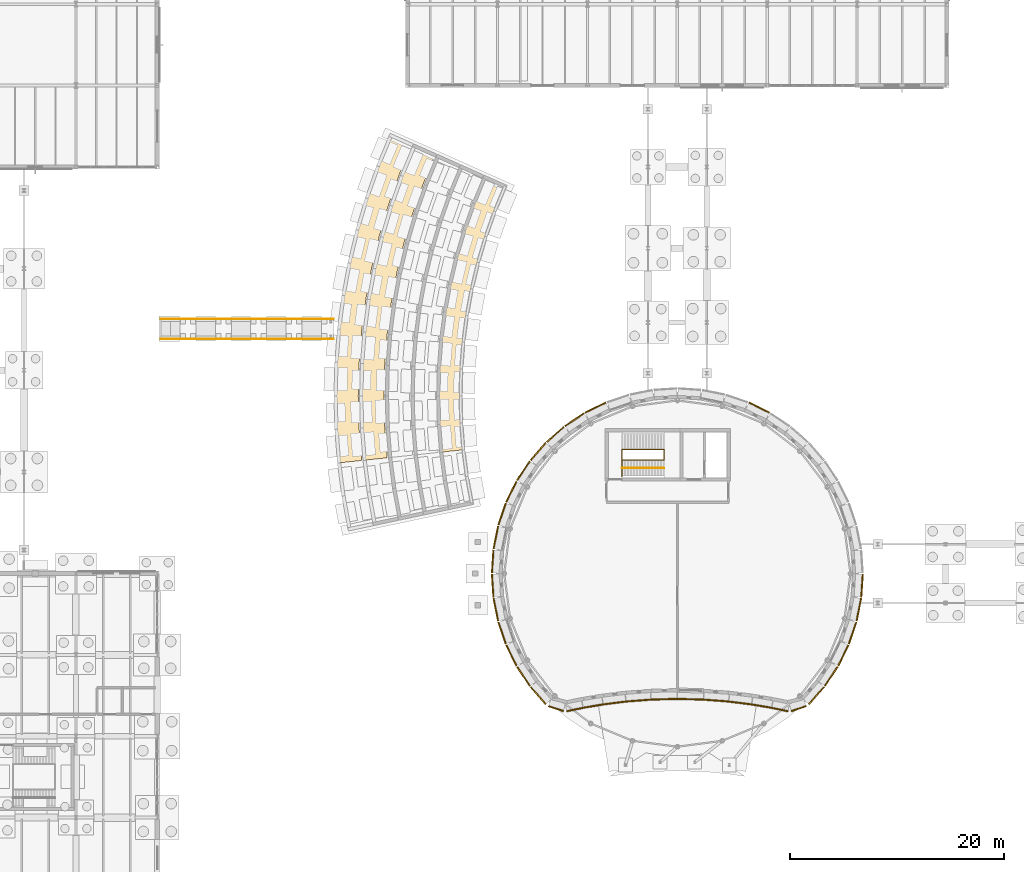
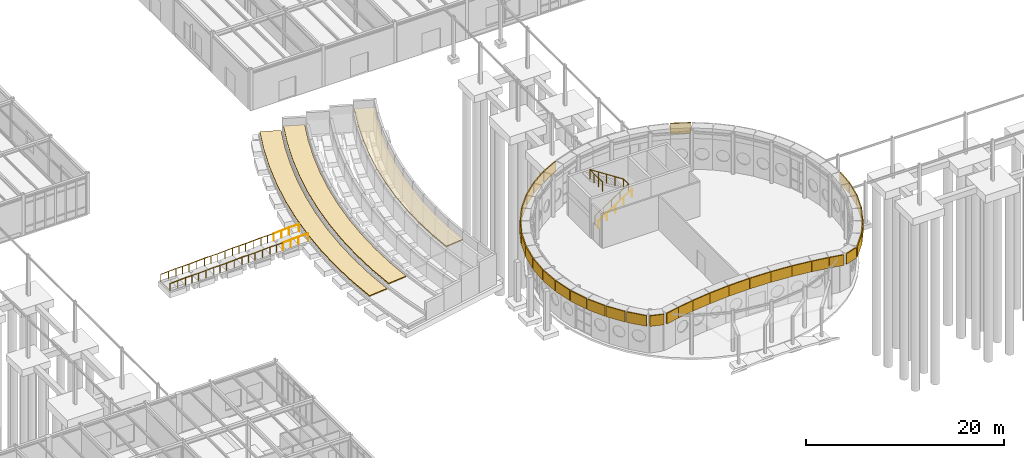
# One storey, part 98 of 109: 37 coverings, 12 railings.
"""IFC4 building model written with IfcOpenShell, lengths in metres."""

from ifc_helpers import new_model, si_unit, direction, frame, origin, origin_2d, place, context, subcontext, project, spatial, polyline, circle, outline, extrude, material, layer, layer_set, type_object, element, save


model = new_model("IFC4")

# Units and contexts
model_context = context("Model", 3, precision=1e-05, world=origin(), true_north=direction((0.0, 1.0)))
body_context = subcontext(model_context, "Body", "Model", "MODEL_VIEW")
ifc_project = project(units=[si_unit("LENGTHUNIT", "METRE"), si_unit("AREAUNIT", "SQUARE_METRE"), si_unit("VOLUMEUNIT", "CUBIC_METRE"), si_unit("PLANEANGLEUNIT", "RADIAN"), si_unit("MASSUNIT", "GRAM", prefix="KILO")], contexts=[model_context])

# Site, building, storey
site_placement = place(None, origin())
site = spatial("IfcSite", under=ifc_project, at=site_placement, CompositionType="ELEMENT")
building_placement = place(site_placement, origin())
building = spatial("IfcBuilding", under=site, at=building_placement, Name="Montecoro Central Library", CompositionType="ELEMENT")
storey_placement = place(building_placement, origin())
storey = spatial("IfcBuildingStorey", under=building, at=storey_placement, Name="L00", CompositionType="ELEMENT", Elevation=0.0)

# Coverings
ifc_material_1 = material(Name="Botanical green planted garden soil COV-GRN-120")
ifc_layer_1 = layer(ifc_material_1, 0.1201171875)
ifc_layer_set_1 = layer_set([ifc_layer_1], Name="Botanical green planted garden soil COV-GRN-120")
covering_type_1 = type_object("IfcCoveringType", Name="COV-GRN-120", PredefinedType="FLOORING", material=ifc_layer_set_1)
covering_1_placement = place(storey_placement, frame((0.0, 0.0, 0.5400390625)))
element("IfcCovering", 1, at=covering_1_placement, inside=storey, type_object=covering_type_1, Name="Botanical Planted Terrace Bed 1", PredefinedType="FLOORING", context=body_context, shape_type="SweptSolid", body=[
    extrude(outline(polyline([(66.77001953125, 75.47705078125), (65.614013671875, 72.68505859375), (64.60498046875, 69.8359375), (63.7470703125, 66.93896484375), (63.041015625, 64.0009765625), (62.490966796875, 61.029052734375), (62.095947265625, 58.032958984375), (61.85888671875, 55.02099609375), (61.780029296875, 52.0), (61.85888671875, 48.97900390625), (62.095947265625, 45.967041015625), (59.947998046875, 45.740966796875), (59.701904296875, 48.865966796875), (59.6201171875, 52.0), (59.701904296875, 55.134033203125), (59.947998046875, 58.259033203125), (60.35693359375, 61.366943359375), (60.928955078125, 64.449951171875), (61.659912109375, 67.498046875), (62.551025390625, 70.50390625), (63.596923828125, 73.458984375), (64.797119140625, 76.35498046875), (66.77001953125, 75.47705078125)])), origin(), (0.0, 0.0, 1.0), 0.119873046875),
])
covering_2_placement = place(storey_placement, frame((0.0, 0.0, 1.080078125)))
element("IfcCovering", 2, at=covering_2_placement, inside=storey, type_object=covering_type_1, Name="Botanical Planted Terrace Bed 2", PredefinedType="FLOORING", context=body_context, shape_type="SweptSolid", body=[
    extrude(outline(polyline([(68.962890625, 74.5009765625), (67.85400390625, 71.824951171875), (66.887939453125, 69.094970703125), (66.06494140625, 66.318115234375), (65.388916015625, 63.501953125), (64.861083984375, 60.654052734375), (64.48291015625, 57.782958984375), (64.256103515625, 54.89501953125), (64.179931640625, 52.0), (64.256103515625, 49.10498046875), (64.48291015625, 46.217041015625), (62.3349609375, 45.991943359375), (62.09912109375, 48.991943359375), (62.02001953125, 52.0), (62.09912109375, 55.008056640625), (62.3349609375, 58.008056640625), (62.72802734375, 60.991943359375), (63.27587890625, 63.950927734375), (63.97900390625, 66.876953125), (64.8330078125, 69.761962890625), (65.837890625, 72.59912109375), (66.989013671875, 75.37890625), (68.962890625, 74.5009765625)])), origin(), (0.0, 0.0, 1.0), 0.119873046875),
])
covering_3_placement = place(storey_placement, frame((0.0, 0.0, 2.699951171875)))
element("IfcCovering", 3, at=covering_3_placement, inside=storey, type_object=covering_type_1, Name="Botanical Planted Terrace Bed 5", PredefinedType="FLOORING", context=body_context, shape_type="SweptSolid", body=[
    extrude(outline(polyline([(75.5400390625, 71.572021484375), (74.575927734375, 69.2451171875), (73.735107421875, 66.8701171875), (73.02001953125, 64.4541015625), (72.431884765625, 62.0048828125), (71.971923828125, 59.528076171875), (71.64404296875, 57.030029296875), (71.446044921875, 54.51806640625), (71.3798828125, 52.0), (71.446044921875, 49.48193359375), (71.64404296875, 46.969970703125), (69.4951171875, 46.743896484375), (69.2890625, 49.368896484375), (69.219970703125, 52.0), (69.2890625, 54.631103515625), (69.4951171875, 57.256103515625), (69.839111328125, 59.865966796875), (70.319091796875, 62.4541015625), (70.93310546875, 65.012939453125), (71.680908203125, 67.537109375), (72.56005859375, 70.01904296875), (73.56689453125, 72.450927734375), (75.5400390625, 71.572021484375)])), origin(), (0.0, 0.0, 1.0), 0.1201171875),
])
ifc_material_2 = material(Name="Bright white Roman travertine architrave stone", Category="masonry")
ifc_layer_2 = layer(ifc_material_2, 0.1201171875)
ifc_layer_set_2 = layer_set([ifc_layer_2], Name="Bright white Roman travertine architrave stone")
covering_type_2 = type_object("IfcCoveringType", Name="COV-TRV-BAND", PredefinedType="CLADDING", material=ifc_layer_set_2)
covering_4_placement = place(storey_placement, frame((0.0, 0.0, 3.800048828125)))
element("IfcCovering", 4, at=covering_4_placement, inside=storey, type_object=covering_type_2, Name="White Roman Travertine Entrance Notch Band Cladding", PredefinedType="CLADDING", context=body_context, shape_type="SweptSolid", body=[
    extrude(outline(polyline([(100.238037109375, 50.493896484375), (98.31494140625, 51.44189453125), (98.261962890625, 51.333984375), (100.18505859375, 50.385986328125), (100.238037109375, 50.493896484375)])), origin(), (0.0, 0.0, 1.0), 1.300048828125),
])
covering_5_placement = place(storey_placement, frame((0.0, 0.0, 3.800048828125)))
element("IfcCovering", 5, at=covering_5_placement, inside=storey, type_object=covering_type_2, Name="White Roman Travertine Entrance Notch Band Cladding", PredefinedType="CLADDING", context=body_context, shape_type="SweptSolid", body=[
    extrude(outline(polyline([(84.885009765625, 51.44189453125), (82.9619140625, 50.493896484375), (83.014892578125, 50.385986328125), (84.93798828125, 51.333984375), (84.885009765625, 51.44189453125)])), origin(), (0.0, 0.0, 1.0), 1.300048828125),
])
covering_6_placement = place(storey_placement, frame((0.0, 0.0, 3.800048828125)))
element("IfcCovering", 6, at=covering_6_placement, inside=storey, type_object=covering_type_2, Name="White Roman Travertine Entrance Notch Band Cladding", PredefinedType="CLADDING", context=body_context, shape_type="SweptSolid", body=[
    extrude(outline(polyline([(82.847900390625, 50.427001953125), (81.06591796875, 49.237060546875), (81.132080078125, 49.136962890625), (82.9140625, 50.326904296875), (82.847900390625, 50.427001953125)])), origin(), (0.0, 0.0, 1.0), 1.300048828125),
])
covering_7_placement = place(storey_placement, frame((0.0, 0.0, 3.800048828125)))
element("IfcCovering", 7, at=covering_7_placement, inside=storey, type_object=covering_type_2, Name="White Roman Travertine Entrance Notch Band Cladding", PredefinedType="CLADDING", context=body_context, shape_type="SweptSolid", body=[
    extrude(outline(polyline([(80.9609375, 49.156005859375), (79.35009765625, 47.743896484375), (79.428955078125, 47.654052734375), (81.0400390625, 49.06591796875), (80.9609375, 49.156005859375)])), origin(), (0.0, 0.0, 1.0), 1.300048828125),
])
covering_8_placement = place(storey_placement, frame((0.0, 0.0, 3.800048828125)))
element("IfcCovering", 8, at=covering_8_placement, inside=storey, type_object=covering_type_2, Name="White Roman Travertine Entrance Notch Band Cladding", PredefinedType="CLADDING", context=body_context, shape_type="SweptSolid", body=[
    extrude(outline(polyline([(79.256103515625, 47.64990234375), (77.843994140625, 46.0390625), (77.93408203125, 45.9599609375), (79.345947265625, 47.571044921875), (79.256103515625, 47.64990234375)])), origin(), (0.0, 0.0, 1.0), 1.300048828125),
])
covering_9_placement = place(storey_placement, frame((0.0, 0.0, 3.800048828125)))
element("IfcCovering", 9, at=covering_9_placement, inside=storey, type_object=covering_type_2, Name="White Roman Travertine Entrance Notch Band Cladding", PredefinedType="CLADDING", context=body_context, shape_type="SweptSolid", body=[
    extrude(outline(polyline([(77.762939453125, 45.93408203125), (76.572998046875, 44.152099609375), (76.673095703125, 44.0859375), (77.863037109375, 45.867919921875), (77.762939453125, 45.93408203125)])), origin(), (0.0, 0.0, 1.0), 1.300048828125),
])
covering_10_placement = place(storey_placement, frame((0.0, 0.0, 3.800048828125)))
element("IfcCovering", 10, at=covering_10_placement, inside=storey, type_object=covering_type_2, Name="White Roman Travertine Entrance Notch Band Cladding", PredefinedType="CLADDING", context=body_context, shape_type="SweptSolid", body=[
    extrude(outline(polyline([(76.506103515625, 44.0380859375), (75.55810546875, 42.114990234375), (75.666015625, 42.06201171875), (76.614013671875, 43.985107421875), (76.506103515625, 44.0380859375)])), origin(), (0.0, 0.0, 1.0), 1.300048828125),
])
covering_11_placement = place(storey_placement, frame((0.0, 0.0, 3.800048828125)))
element("IfcCovering", 11, at=covering_11_placement, inside=storey, type_object=covering_type_2, Name="White Roman Travertine Entrance Notch Band Cladding", PredefinedType="CLADDING", context=body_context, shape_type="SweptSolid", body=[
    extrude(outline(polyline([(75.509033203125, 41.993896484375), (74.820068359375, 39.966064453125), (74.93310546875, 39.927978515625), (75.6220703125, 41.9560546875), (75.509033203125, 41.993896484375)])), origin(), (0.0, 0.0, 1.0), 1.300048828125),
])
covering_12_placement = place(storey_placement, frame((0.0, 0.0, 3.800048828125)))
element("IfcCovering", 12, at=covering_12_placement, inside=storey, type_object=covering_type_2, Name="White Roman Travertine Entrance Notch Band Cladding", PredefinedType="CLADDING", context=body_context, shape_type="SweptSolid", body=[
    extrude(outline(polyline([(74.784912109375, 39.8369140625), (74.366943359375, 37.735107421875), (74.485107421875, 37.7109375), (74.903076171875, 39.81298828125), (74.784912109375, 39.8369140625)])), origin(), (0.0, 0.0, 1.0), 1.300048828125),
])
covering_13_placement = place(storey_placement, frame((0.0, 0.0, 3.800048828125)))
element("IfcCovering", 13, at=covering_13_placement, inside=storey, type_object=covering_type_2, Name="White Roman Travertine Entrance Notch Band Cladding", PredefinedType="CLADDING", context=body_context, shape_type="SweptSolid", body=[
    extrude(outline(polyline([(74.35009765625, 37.60400390625), (74.2099609375, 35.466064453125), (74.330078125, 35.4580078125), (74.469970703125, 37.595947265625), (74.35009765625, 37.60400390625)])), origin(), (0.0, 0.0, 1.0), 1.300048828125),
])
covering_14_placement = place(storey_placement, frame((0.0, 0.0, 3.800048828125)))
element("IfcCovering", 14, at=covering_14_placement, inside=storey, type_object=covering_type_2, Name="White Roman Travertine Entrance Notch Band Cladding", PredefinedType="CLADDING", context=body_context, shape_type="SweptSolid", body=[
    extrude(outline(polyline([(74.2099609375, 35.333984375), (74.35009765625, 33.196044921875), (74.469970703125, 33.2041015625), (74.330078125, 35.342041015625), (74.2099609375, 35.333984375)])), origin(), (0.0, 0.0, 1.0), 1.300048828125),
])
covering_15_placement = place(storey_placement, frame((0.0, 0.0, 3.800048828125)))
element("IfcCovering", 15, at=covering_15_placement, inside=storey, type_object=covering_type_2, Name="White Roman Travertine Entrance Notch Band Cladding", PredefinedType="CLADDING", context=body_context, shape_type="SweptSolid", body=[
    extrude(outline(polyline([(74.366943359375, 33.06396484375), (74.784912109375, 30.9619140625), (74.903076171875, 30.986083984375), (74.485107421875, 33.087890625), (74.366943359375, 33.06396484375)])), origin(), (0.0, 0.0, 1.0), 1.300048828125),
])
covering_16_placement = place(storey_placement, frame((0.0, 0.0, 3.800048828125)))
element("IfcCovering", 16, at=covering_16_placement, inside=storey, type_object=covering_type_2, Name="White Roman Travertine Entrance Notch Band Cladding", PredefinedType="CLADDING", context=body_context, shape_type="SweptSolid", body=[
    extrude(outline(polyline([(74.820068359375, 30.833984375), (75.509033203125, 28.805908203125), (75.6220703125, 28.843994140625), (74.93310546875, 30.8720703125), (74.820068359375, 30.833984375)])), origin(), (0.0, 0.0, 1.0), 1.300048828125),
])
covering_17_placement = place(storey_placement, frame((0.0, 0.0, 3.800048828125)))
element("IfcCovering", 17, at=covering_17_placement, inside=storey, type_object=covering_type_2, Name="White Roman Travertine Entrance Notch Band Cladding", PredefinedType="CLADDING", context=body_context, shape_type="SweptSolid", body=[
    extrude(outline(polyline([(75.55810546875, 28.68505859375), (76.506103515625, 26.761962890625), (76.614013671875, 26.81494140625), (75.666015625, 28.738037109375), (75.55810546875, 28.68505859375)])), origin(), (0.0, 0.0, 1.0), 1.300048828125),
])
covering_18_placement = place(storey_placement, frame((0.0, 0.0, 3.800048828125)))
element("IfcCovering", 18, at=covering_18_placement, inside=storey, type_object=covering_type_2, Name="White Roman Travertine Entrance Notch Band Cladding", PredefinedType="CLADDING", context=body_context, shape_type="SweptSolid", body=[
    extrude(outline(polyline([(76.572998046875, 26.64794921875), (77.762939453125, 24.865966796875), (77.863037109375, 24.931884765625), (76.673095703125, 26.714111328125), (76.572998046875, 26.64794921875)])), origin(), (0.0, 0.0, 1.0), 1.300048828125),
])
covering_19_placement = place(storey_placement, frame((0.0, 0.0, 3.800048828125)))
element("IfcCovering", 19, at=covering_19_placement, inside=storey, type_object=covering_type_2, Name="White Roman Travertine Entrance Notch Band Cladding", PredefinedType="CLADDING", context=body_context, shape_type="SweptSolid", body=[
    extrude(outline(polyline([(77.843994140625, 24.760986328125), (79.256103515625, 23.14990234375), (79.345947265625, 23.22900390625), (77.93408203125, 24.840087890625), (77.843994140625, 24.760986328125)])), origin(), (0.0, 0.0, 1.0), 1.300048828125),
])
covering_20_placement = place(storey_placement, frame((0.0, 0.0, 3.800048828125)))
element("IfcCovering", 20, at=covering_20_placement, inside=storey, type_object=covering_type_2, Name="White Roman Travertine Entrance Notch Band Cladding", PredefinedType="CLADDING", context=body_context, shape_type="SweptSolid", body=[
    extrude(outline(polyline([(79.5439453125, 22.951904296875), (80.924072265625, 22.493896484375), (80.9619140625, 22.60791015625), (79.58203125, 23.06591796875), (79.5439453125, 22.951904296875)])), origin(), (0.0, 0.0, 1.0), 1.300048828125),
])
covering_21_placement = place(storey_placement, frame((0.0, 0.0, 3.800048828125)))
element("IfcCovering", 21, at=covering_21_placement, inside=storey, type_object=covering_type_2, Name="White Roman Travertine Entrance Notch Band Cladding", PredefinedType="CLADDING", context=body_context, shape_type="SweptSolid", body=[
    extrude(outline(polyline([(81.27197265625, 22.47509765625), (82.783935546875, 22.7890625), (82.760009765625, 22.906982421875), (81.248046875, 22.593017578125), (81.27197265625, 22.47509765625)])), origin(), (0.0, 0.0, 1.0), 1.300048828125),
])
covering_22_placement = place(storey_placement, frame((0.0, 0.0, 3.800048828125)))
element("IfcCovering", 22, at=covering_22_placement, inside=storey, type_object=covering_type_2, Name="White Roman Travertine Entrance Notch Band Cladding", PredefinedType="CLADDING", context=body_context, shape_type="SweptSolid", body=[
    extrude(outline(polyline([(82.822998046875, 22.799072265625), (84.65087890625, 23.10888671875), (84.631103515625, 23.22705078125), (82.802978515625, 22.9169921875), (82.822998046875, 22.799072265625)])), origin(), (0.0, 0.0, 1.0), 1.300048828125),
])
covering_23_placement = place(storey_placement, frame((0.0, 0.0, 3.800048828125)))
element("IfcCovering", 23, at=covering_23_placement, inside=storey, type_object=covering_type_2, Name="White Roman Travertine Entrance Notch Band Cladding", PredefinedType="CLADDING", context=body_context, shape_type="SweptSolid", body=[
    extrude(outline(polyline([(84.68603515625, 23.115966796875), (86.7890625, 23.37890625), (86.77392578125, 23.498046875), (84.6708984375, 23.235107421875), (84.68603515625, 23.115966796875)])), origin(), (0.0, 0.0, 1.0), 1.300048828125),
])
covering_24_placement = place(storey_placement, frame((0.0, 0.0, 3.800048828125)))
element("IfcCovering", 24, at=covering_24_placement, inside=storey, type_object=covering_type_2, Name="White Roman Travertine Entrance Notch Band Cladding", PredefinedType="CLADDING", context=body_context, shape_type="SweptSolid", body=[
    extrude(outline(polyline([(86.823974609375, 23.385009765625), (89.133056640625, 23.56201171875), (89.1240234375, 23.680908203125), (86.81494140625, 23.50390625), (86.823974609375, 23.385009765625)])), origin(), (0.0, 0.0, 1.0), 1.300048828125),
])
covering_25_placement = place(storey_placement, frame((0.0, 0.0, 3.800048828125)))
element("IfcCovering", 25, at=covering_25_placement, inside=storey, type_object=covering_type_2, Name="White Roman Travertine Entrance Notch Band Cladding", PredefinedType="CLADDING", context=body_context, shape_type="SweptSolid", body=[
    extrude(outline(polyline([(89.1640625, 23.56396484375), (91.5849609375, 23.6279296875), (91.58203125, 23.748046875), (89.160888671875, 23.68408203125), (89.1640625, 23.56396484375)])), origin(), (0.0, 0.0, 1.0), 1.300048828125),
])
covering_26_placement = place(storey_placement, frame((0.0, 0.0, 3.800048828125)))
element("IfcCovering", 26, at=covering_26_placement, inside=storey, type_object=covering_type_2, Name="White Roman Travertine Entrance Notch Band Cladding", PredefinedType="CLADDING", context=body_context, shape_type="SweptSolid", body=[
    extrude(outline(polyline([(91.614990234375, 23.6279296875), (94.035888671875, 23.56396484375), (94.0390625, 23.68408203125), (91.617919921875, 23.748046875), (91.614990234375, 23.6279296875)])), origin(), (0.0, 0.0, 1.0), 1.300048828125),
])
covering_27_placement = place(storey_placement, frame((0.0, 0.0, 3.800048828125)))
element("IfcCovering", 27, at=covering_27_placement, inside=storey, type_object=covering_type_2, Name="White Roman Travertine Entrance Notch Band Cladding", PredefinedType="CLADDING", context=body_context, shape_type="SweptSolid", body=[
    extrude(outline(polyline([(94.06689453125, 23.56201171875), (96.3759765625, 23.385009765625), (96.385009765625, 23.50390625), (94.075927734375, 23.680908203125), (94.06689453125, 23.56201171875)])), origin(), (0.0, 0.0, 1.0), 1.300048828125),
])
covering_28_placement = place(storey_placement, frame((0.0, 0.0, 3.800048828125)))
element("IfcCovering", 28, at=covering_28_placement, inside=storey, type_object=covering_type_2, Name="White Roman Travertine Entrance Notch Band Cladding", PredefinedType="CLADDING", context=body_context, shape_type="SweptSolid", body=[
    extrude(outline(polyline([(96.409912109375, 23.37890625), (98.512939453125, 23.115966796875), (98.528076171875, 23.235107421875), (96.425048828125, 23.498046875), (96.409912109375, 23.37890625)])), origin(), (0.0, 0.0, 1.0), 1.300048828125),
])
covering_29_placement = place(storey_placement, frame((0.0, 0.0, 3.800048828125)))
element("IfcCovering", 29, at=covering_29_placement, inside=storey, type_object=covering_type_2, Name="White Roman Travertine Entrance Notch Band Cladding", PredefinedType="CLADDING", context=body_context, shape_type="SweptSolid", body=[
    extrude(outline(polyline([(98.549072265625, 23.10888671875), (100.376953125, 22.799072265625), (100.39697265625, 22.9169921875), (98.569091796875, 23.22705078125), (98.549072265625, 23.10888671875)])), origin(), (0.0, 0.0, 1.0), 1.300048828125),
])
covering_30_placement = place(storey_placement, frame((0.0, 0.0, 3.800048828125)))
element("IfcCovering", 30, at=covering_30_placement, inside=storey, type_object=covering_type_2, Name="White Roman Travertine Entrance Notch Band Cladding", PredefinedType="CLADDING", context=body_context, shape_type="SweptSolid", body=[
    extrude(outline(polyline([(100.416015625, 22.7890625), (101.927978515625, 22.47509765625), (101.951904296875, 22.593017578125), (100.43994140625, 22.906982421875), (100.416015625, 22.7890625)])), origin(), (0.0, 0.0, 1.0), 1.300048828125),
])
covering_31_placement = place(storey_placement, frame((0.0, 0.0, 3.800048828125)))
element("IfcCovering", 31, at=covering_31_placement, inside=storey, type_object=covering_type_2, Name="White Roman Travertine Entrance Notch Band Cladding", PredefinedType="CLADDING", context=body_context, shape_type="SweptSolid", body=[
    extrude(outline(polyline([(102.27587890625, 22.493896484375), (103.656005859375, 22.951904296875), (103.617919921875, 23.06591796875), (102.238037109375, 22.60791015625), (102.27587890625, 22.493896484375)])), origin(), (0.0, 0.0, 1.0), 1.300048828125),
])
covering_32_placement = place(storey_placement, frame((0.0, 0.0, 3.800048828125)))
element("IfcCovering", 32, at=covering_32_placement, inside=storey, type_object=covering_type_2, Name="White Roman Travertine Entrance Notch Band Cladding", PredefinedType="CLADDING", context=body_context, shape_type="SweptSolid", body=[
    extrude(outline(polyline([(103.944091796875, 23.14990234375), (105.35595703125, 24.760986328125), (105.26611328125, 24.840087890625), (103.85400390625, 23.22900390625), (103.944091796875, 23.14990234375)])), origin(), (0.0, 0.0, 1.0), 1.300048828125),
])
covering_33_placement = place(storey_placement, frame((0.0, 0.0, 3.800048828125)))
element("IfcCovering", 33, at=covering_33_placement, inside=storey, type_object=covering_type_2, Name="White Roman Travertine Entrance Notch Band Cladding", PredefinedType="CLADDING", context=body_context, shape_type="SweptSolid", body=[
    extrude(outline(polyline([(105.43701171875, 24.865966796875), (106.626953125, 26.64794921875), (106.527099609375, 26.714111328125), (105.3369140625, 24.931884765625), (105.43701171875, 24.865966796875)])), origin(), (0.0, 0.0, 1.0), 1.300048828125),
])
covering_34_placement = place(storey_placement, frame((0.0, 0.0, 3.800048828125)))
element("IfcCovering", 34, at=covering_34_placement, inside=storey, type_object=covering_type_2, Name="White Roman Travertine Entrance Notch Band Cladding", PredefinedType="CLADDING", context=body_context, shape_type="SweptSolid", body=[
    extrude(outline(polyline([(106.694091796875, 26.761962890625), (107.64208984375, 28.68505859375), (107.533935546875, 28.738037109375), (106.5859375, 26.81494140625), (106.694091796875, 26.761962890625)])), origin(), (0.0, 0.0, 1.0), 1.300048828125),
])
covering_35_placement = place(storey_placement, frame((0.0, 0.0, 3.800048828125)))
element("IfcCovering", 35, at=covering_35_placement, inside=storey, type_object=covering_type_2, Name="White Roman Travertine Entrance Notch Band Cladding", PredefinedType="CLADDING", context=body_context, shape_type="SweptSolid", body=[
    extrude(outline(polyline([(107.69091796875, 28.805908203125), (108.3798828125, 30.833984375), (108.26708984375, 30.8720703125), (107.577880859375, 28.843994140625), (107.69091796875, 28.805908203125)])), origin(), (0.0, 0.0, 1.0), 1.300048828125),
])
covering_36_placement = place(storey_placement, frame((0.0, 0.0, 3.800048828125)))
element("IfcCovering", 36, at=covering_36_placement, inside=storey, type_object=covering_type_2, Name="White Roman Travertine Entrance Notch Band Cladding", PredefinedType="CLADDING", context=body_context, shape_type="SweptSolid", body=[
    extrude(outline(polyline([(108.4150390625, 30.9619140625), (108.8330078125, 33.06396484375), (108.715087890625, 33.087890625), (108.297119140625, 30.986083984375), (108.4150390625, 30.9619140625)])), origin(), (0.0, 0.0, 1.0), 1.300048828125),
])
covering_37_placement = place(storey_placement, frame((0.0, 0.0, 3.800048828125)))
element("IfcCovering", 37, at=covering_37_placement, inside=storey, type_object=covering_type_2, Name="White Roman Travertine Entrance Notch Band Cladding", PredefinedType="CLADDING", context=body_context, shape_type="SweptSolid", body=[
    extrude(outline(polyline([(108.85009765625, 33.196044921875), (108.989990234375, 35.333984375), (108.8701171875, 35.342041015625), (108.72998046875, 33.2041015625), (108.85009765625, 33.196044921875)])), origin(), (0.0, 0.0, 1.0), 1.300048828125),
])

# Railings
ifc_material_3 = material(Name="Brushed stainless steel and bronze balustrade", Category="steel")
railing_type_1 = type_object("IfcRailingType", Name="GRD-INT-110", PredefinedType="GUARDRAIL", material=ifc_material_3)
railing_1_placement = place(storey_placement, frame((86.419921875, 46.0, 0.0)))
element("IfcRailing", 38, at=railing_1_placement, inside=storey, type_object=railing_type_1, Name="C1-L00-STR-GRD", PredefinedType="GUARDRAIL", context=body_context, shape_type="SweptSolid", body=[
    extrude(circle(Radius=0.02392578125, at=origin_2d()), frame((0.0, 0.0, 1.09619140625), z_axis=(0.838253921411, 0.0, 0.545280077794), x_axis=(0.0, 1.0, 0.0)), (0.0, 0.0, 1.0), 4.676513671875),
    extrude(circle(Radius=0.02392578125, at=origin_2d()), frame((3.920166015625, 0.0, 3.64599609375), z_axis=(0.0, 1.0, 0.0), x_axis=(-1.0, 0.0, 0.0)), (0.0, 0.0, 1.0), 1.0),
    extrude(circle(Radius=0.02392578125, at=origin_2d()), frame((3.920166015625, 1.0, 3.64599609375), z_axis=(-0.838253921411, 0.0, 0.545280077794), x_axis=(0.0, -1.0, 0.0)), (0.0, 0.0, 1.0), 4.676513671875),
    extrude(circle(Radius=0.02392578125, at=origin_2d()), frame((0.0, 1.0, 6.1962890625), z_axis=(0.0, -1.0, 0.0), x_axis=(1.0, 0.0, 0.0)), (0.0, 0.0, 1.0), 2.550048828125),
    extrude(circle(Radius=0.02099609375, at=origin_2d()), origin(), (0.0, 0.0, 1.0), 1.072021484375),
    extrude(circle(Radius=0.02099609375, at=origin_2d()), frame((0.97998046875, 0.0, 0.637451171875)), (0.0, 0.0, 1.0), 1.072021484375),
    extrude(circle(Radius=0.02099609375, at=origin_2d()), frame((1.9599609375, 0.0, 1.27490234375)), (0.0, 0.0, 1.0), 1.072021484375),
    extrude(circle(Radius=0.02099609375, at=origin_2d()), frame((2.940185546875, 0.0, 1.91259765625)), (0.0, 0.0, 1.0), 1.072021484375),
    extrude(circle(Radius=0.02099609375, at=origin_2d()), frame((3.920166015625, 0.0, 2.550048828125)), (0.0, 0.0, 1.0), 1.072021484375),
    extrude(circle(Radius=0.02099609375, at=origin_2d()), frame((3.920166015625, 1.0, 2.550048828125)), (0.0, 0.0, 1.0), 1.072021484375),
    extrude(circle(Radius=0.02099609375, at=origin_2d()), frame((2.940185546875, 1.0, 3.1875)), (0.0, 0.0, 1.0), 1.072021484375),
    extrude(circle(Radius=0.02099609375, at=origin_2d()), frame((1.9599609375, 1.0, 3.8251953125)), (0.0, 0.0, 1.0), 1.072021484375),
    extrude(circle(Radius=0.02099609375, at=origin_2d()), frame((0.97998046875, 1.0, 4.462646484375)), (0.0, 0.0, 1.0), 1.072021484375),
    extrude(circle(Radius=0.02099609375, at=origin_2d()), frame((0.0, 1.0, 5.10009765625)), (0.0, 0.0, 1.0), 1.072021484375),
    extrude(circle(Radius=0.02099609375, at=origin_2d()), frame((0.0, 0.14990234375, 5.10009765625)), (0.0, 0.0, 1.0), 1.072021484375),
    extrude(circle(Radius=0.02099609375, at=origin_2d()), frame((0.0, -0.699951171875, 5.10009765625)), (0.0, 0.0, 1.0), 1.072021484375),
    extrude(circle(Radius=0.02099609375, at=origin_2d()), frame((0.0, -1.550048828125, 5.10009765625)), (0.0, 0.0, 1.0), 1.072021484375),
])
ifc_material_4 = material(Name="Brushed architectural bronze handrail")
railing_type_2 = type_object("IfcRailingType", Name="HRL-STR-095", PredefinedType="HANDRAIL", material=ifc_material_4)
railing_2_placement = place(storey_placement, frame((86.419921875, 45.25, 0.0)))
element("IfcRailing", 39, at=railing_2_placement, inside=storey, type_object=railing_type_2, Name="C1-L00-STR-HR1", PredefinedType="HANDRAIL", context=body_context, shape_type="SweptSolid", body=[
    extrude(circle(Radius=0.02392578125, at=origin_2d()), frame((0.0, 0.0, 0.92578125), z_axis=(0.838253921411, 0.0, 0.545280077794), x_axis=(0.0, 1.0, 0.0)), (0.0, 0.0, 1.0), 4.676513671875),
    extrude(circle(Radius=0.02099609375, at=origin_2d()), origin(), (0.0, 0.0, 1.0), 0.90185546875),
    extrude(circle(Radius=0.02099609375, at=origin_2d()), frame((0.97998046875, 0.0, 0.637451171875)), (0.0, 0.0, 1.0), 0.90185546875),
    extrude(circle(Radius=0.02099609375, at=origin_2d()), frame((1.9599609375, 0.0, 1.27490234375)), (0.0, 0.0, 1.0), 0.90185546875),
    extrude(circle(Radius=0.02099609375, at=origin_2d()), frame((2.940185546875, 0.0, 1.91259765625)), (0.0, 0.0, 1.0), 0.90185546875),
    extrude(circle(Radius=0.02099609375, at=origin_2d()), frame((3.920166015625, 0.0, 2.550048828125)), (0.0, 0.0, 1.0), 0.90185546875),
])
for number, where, name in (
    (40, (43.3291015625, 57.33203125, 0.0), "V1-RAMP-HRL1-S"),
    (41, (43.3291015625, 59.2119140625, 0.0), "V1-RAMP-HRL1-N"),
):
    element("IfcRailing", number, at=place(storey_placement, frame(where)), inside=storey, type_object=railing_type_2, Name=name, PredefinedType="HANDRAIL", context=body_context, shape_type="SweptSolid", body=[
        extrude(circle(Radius=0.02392578125, at=origin_2d()), frame((0.0, 0.0, 0.92578125), z_axis=(0.998207434987, 0.0, 0.059849116422), x_axis=(0.0, 1.0, 0.0)), (0.0, 0.0, 1.0), 1.802978515625),
        extrude(circle(Radius=0.02392578125, at=origin_2d()), frame((1.7998046875, 0.0, 1.03369140625), z_axis=(1.0, 0.0, 0.0), x_axis=(0.0, 1.0, 0.0)), (0.0, 0.0, 1.0), 1.5),
        extrude(circle(Radius=0.02099609375, at=origin_2d()), origin(), (0.0, 0.0, 1.0), 0.90185546875),
        extrude(circle(Radius=0.02099609375, at=origin_2d()), frame((0.89990234375, 0.0, 0.053955078125)), (0.0, 0.0, 1.0), 0.90185546875),
        extrude(circle(Radius=0.02099609375, at=origin_2d()), frame((1.7998046875, 0.0, 0.10791015625)), (0.0, 0.0, 1.0), 0.90185546875),
        extrude(circle(Radius=0.02099609375, at=origin_2d()), frame((2.5498046875, 0.0, 0.10791015625)), (0.0, 0.0, 1.0), 0.90185546875),
        extrude(circle(Radius=0.02099609375, at=origin_2d()), frame((3.2998046875, 0.0, 0.10791015625)), (0.0, 0.0, 1.0), 0.90185546875),
    ])
for number, where, name in (
    (42, (46.62890625, 57.33203125, 0.10791015625), "V1-RAMP-HRL2-S"),
    (43, (46.62890625, 59.2119140625, 0.10791015625), "V1-RAMP-HRL2-N"),
):
    element("IfcRailing", number, at=place(storey_placement, frame(where)), inside=storey, type_object=railing_type_2, Name=name, PredefinedType="HANDRAIL", context=body_context, shape_type="SweptSolid", body=[
        extrude(circle(Radius=0.02392578125, at=origin_2d()), frame((0.0, 0.0, 0.92578125), z_axis=(0.998199823674, 0.0, 0.059975928643), x_axis=(0.0, 1.0, 0.0)), (0.0, 0.0, 1.0), 1.80322265625),
        extrude(circle(Radius=0.02392578125, at=origin_2d()), frame((1.800048828125, 0.0, 1.0341796875), z_axis=(1.0, 0.0, 0.0), x_axis=(0.0, 1.0, 0.0)), (0.0, 0.0, 1.0), 1.5),
        extrude(circle(Radius=0.02099609375, at=origin_2d()), origin(), (0.0, 0.0, 1.0), 0.90185546875),
        extrude(circle(Radius=0.02099609375, at=origin_2d()), frame((0.89990234375, 0.0, 0.05419921875)), (0.0, 0.0, 1.0), 0.90185546875),
        extrude(circle(Radius=0.02099609375, at=origin_2d()), frame((1.800048828125, 0.0, 0.108154296875)), (0.0, 0.0, 1.0), 0.90185546875),
        extrude(circle(Radius=0.02099609375, at=origin_2d()), frame((2.550048828125, 0.0, 0.108154296875)), (0.0, 0.0, 1.0), 0.90185546875),
        extrude(circle(Radius=0.02099609375, at=origin_2d()), frame((3.300048828125, 0.0, 0.108154296875)), (0.0, 0.0, 1.0), 0.90185546875),
    ])
for number, where, name in (
    (44, (49.928955078125, 57.33203125, 0.216064453125), "V1-RAMP-HRL3-S"),
    (45, (49.928955078125, 59.2119140625, 0.216064453125), "V1-RAMP-HRL3-N"),
    (46, (53.22900390625, 57.33203125, 0.323974609375), "V1-RAMP-HRL4-S"),
    (47, (53.22900390625, 59.2119140625, 0.323974609375), "V1-RAMP-HRL4-N"),
):
    element("IfcRailing", number, at=place(storey_placement, frame(where)), inside=storey, type_object=railing_type_2, Name=name, PredefinedType="HANDRAIL", context=body_context, shape_type="SweptSolid", body=[
        extrude(circle(Radius=0.02392578125, at=origin_2d()), frame((0.0, 0.0, 0.92578125), z_axis=(0.998207919899, 0.0, 0.059841028156), x_axis=(0.0, 1.0, 0.0)), (0.0, 0.0, 1.0), 1.80322265625),
        extrude(circle(Radius=0.02392578125, at=origin_2d()), frame((1.800048828125, 0.0, 1.03369140625), z_axis=(1.0, 0.0, 0.0), x_axis=(0.0, 1.0, 0.0)), (0.0, 0.0, 1.0), 1.5),
        extrude(circle(Radius=0.02099609375, at=origin_2d()), origin(), (0.0, 0.0, 1.0), 0.90185546875),
        extrude(circle(Radius=0.02099609375, at=origin_2d()), frame((0.89990234375, 0.0, 0.053955078125)), (0.0, 0.0, 1.0), 0.90185546875),
        extrude(circle(Radius=0.02099609375, at=origin_2d()), frame((1.800048828125, 0.0, 0.10791015625)), (0.0, 0.0, 1.0), 0.90185546875),
        extrude(circle(Radius=0.02099609375, at=origin_2d()), frame((2.550048828125, 0.0, 0.10791015625)), (0.0, 0.0, 1.0), 0.90185546875),
        extrude(circle(Radius=0.02099609375, at=origin_2d()), frame((3.300048828125, 0.0, 0.10791015625)), (0.0, 0.0, 1.0), 0.90185546875),
    ])
for number, where, name in (
    (48, (56.529052734375, 57.33203125, 0.431884765625), "V1-RAMP-HRL5-S"),
    (49, (56.529052734375, 59.2119140625, 0.431884765625), "V1-RAMP-HRL5-N"),
):
    element("IfcRailing", number, at=place(storey_placement, frame(where)), inside=storey, type_object=railing_type_2, Name=name, PredefinedType="HANDRAIL", context=body_context, shape_type="SweptSolid", body=[
        extrude(circle(Radius=0.02392578125, at=origin_2d()), frame((0.0, 0.0, 0.92578125), z_axis=(0.998199823674, 0.0, 0.059975928643), x_axis=(0.0, 1.0, 0.0)), (0.0, 0.0, 1.0), 1.80322265625),
        extrude(circle(Radius=0.02392578125, at=origin_2d()), frame((1.800048828125, 0.0, 1.0341796875), z_axis=(1.0, 0.0, 0.0), x_axis=(0.0, 1.0, 0.0)), (0.0, 0.0, 1.0), 1.14990234375),
        extrude(circle(Radius=0.02099609375, at=origin_2d()), origin(), (0.0, 0.0, 1.0), 0.90185546875),
        extrude(circle(Radius=0.02099609375, at=origin_2d()), frame((0.89990234375, 0.0, 0.05419921875)), (0.0, 0.0, 1.0), 0.90185546875),
        extrude(circle(Radius=0.02099609375, at=origin_2d()), frame((1.800048828125, 0.0, 0.108154296875)), (0.0, 0.0, 1.0), 0.90185546875),
        extrude(circle(Radius=0.02099609375, at=origin_2d()), frame((2.949951171875, 0.0, 0.108154296875)), (0.0, 0.0, 1.0), 0.90185546875),
    ])

save(model, "model.ifc")
